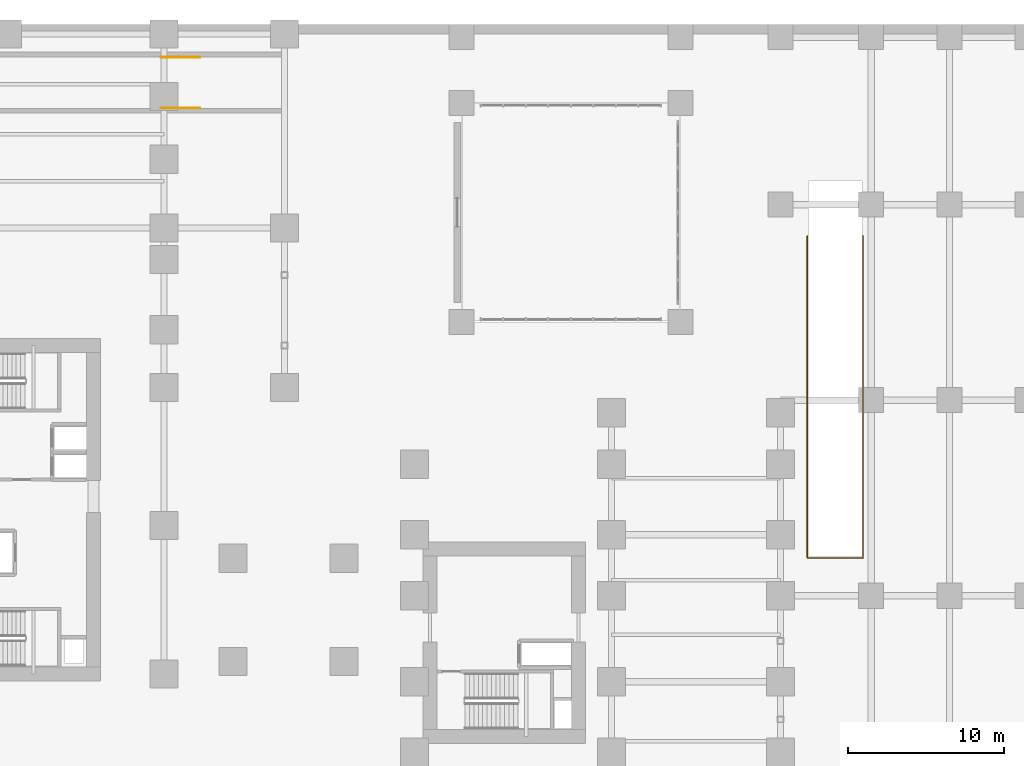
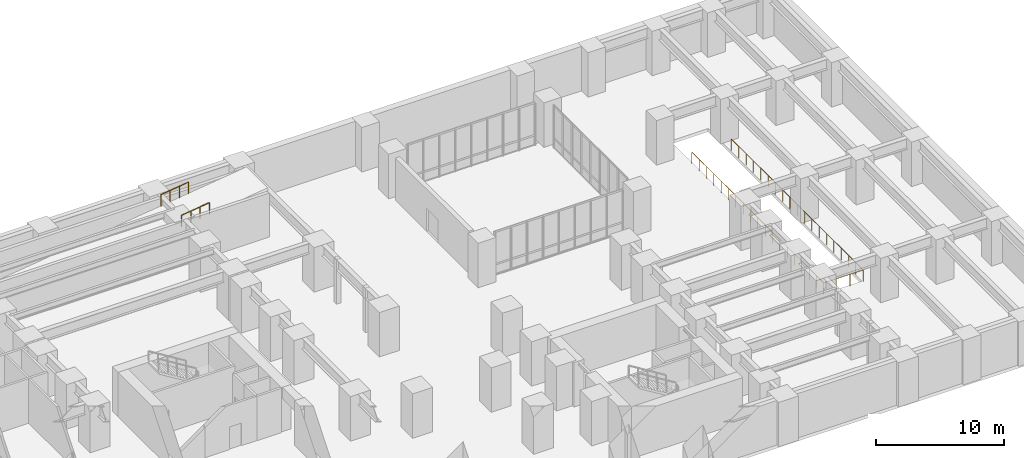
# One storey, part 18 of 18: 3 railings.
"""IFC4 building model written with IfcOpenShell, lengths in metres."""

from ifc_helpers import new_model, si_unit, direction, frame, origin, origin_2d, place, context, subcontext, project, spatial, circle, extrude, source, transform, mapped, material, layer, layer_set, type_object, element, save


model = new_model("IFC4")

# Units and contexts
model_context = context("Model", 3, precision=1e-05, world=origin(), true_north=direction((0.0, 1.0)))
body_context = subcontext(model_context, "Body", "Model", "MODEL_VIEW")
ifc_project = project(units=[si_unit("LENGTHUNIT", "METRE"), si_unit("AREAUNIT", "SQUARE_METRE"), si_unit("VOLUMEUNIT", "CUBIC_METRE"), si_unit("PLANEANGLEUNIT", "RADIAN"), si_unit("MASSUNIT", "GRAM", prefix="KILO")], contexts=[model_context])

# Site, building, storey
site_placement = place(None, origin())
site = spatial("IfcSite", under=ifc_project, at=site_placement, CompositionType="ELEMENT")
building_placement = place(site_placement, origin())
building = spatial("IfcBuilding", under=site, at=building_placement, Name="Kharzan Plaza Tower", CompositionType="ELEMENT")
storey_placement = place(building_placement, frame((0.0, 0.0, -4.5)))
storey = spatial("IfcBuildingStorey", under=building, at=storey_placement, Name="B01", CompositionType="ELEMENT", Elevation=-4.5)

# Railings
ifc_material = material(Name="Painted Galvanized Architectural Steel", Category="steel")
ifc_layer = layer(ifc_material, 0.074951171875)
ifc_layer_set = layer_set([ifc_layer], Name="Painted Galvanized Architectural Steel")
railing_type = type_object("IfcRailingType", Name="RL-GUARD-1120", PredefinedType="BALUSTRADE", material=ifc_layer_set)
shared_shape_1 = source(origin(), body_context, "Body", "SweptSolid", [
    extrude(circle(Radius=0.02392578125, at=origin_2d()), frame((0.0, -0.0263671875, 1.09619140625), z_axis=(0.0, -1.0, 0.0), x_axis=(1.0, 0.0, 0.0)), (0.0, 0.0, 1.0), 20.527099609375),
    extrude(circle(Radius=0.02392578125, at=origin_2d()), frame((0.0263671875, -20.580078125, 1.09619140625), z_axis=(1.0, 0.0, 0.0), x_axis=(0.0, 1.0, 0.0)), (0.0, 0.0, 1.0), 3.5068359375),
    extrude(circle(Radius=0.02392578125, at=origin_2d()), frame((3.559814453125, -20.5537109375, 1.09619140625), z_axis=(0.0, 1.0, 0.0), x_axis=(-1.0, 0.0, 0.0)), (0.0, 0.0, 1.0), 20.527099609375),
    extrude(circle(Radius=0.02099609375, at=origin_2d()), origin(), (0.0, 0.0, 1.0), 1.072021484375),
    extrude(circle(Radius=0.02099609375, at=origin_2d()), frame((0.0, -1.143310546875, 0.0)), (0.0, 0.0, 1.0), 1.072021484375),
    extrude(circle(Radius=0.02099609375, at=origin_2d()), frame((0.0, -2.28662109375, 0.0)), (0.0, 0.0, 1.0), 1.072021484375),
    extrude(circle(Radius=0.02099609375, at=origin_2d()), frame((0.0, -3.429931640625, 0.0)), (0.0, 0.0, 1.0), 1.072021484375),
    extrude(circle(Radius=0.02099609375, at=origin_2d()), frame((0.0, -4.5732421875, 0.0)), (0.0, 0.0, 1.0), 1.072021484375),
    extrude(circle(Radius=0.02099609375, at=origin_2d()), frame((0.0, -5.716796875, 0.0)), (0.0, 0.0, 1.0), 1.072021484375),
    extrude(circle(Radius=0.02099609375, at=origin_2d()), frame((0.0, -6.860107421875, 0.0)), (0.0, 0.0, 1.0), 1.072021484375),
    extrude(circle(Radius=0.02099609375, at=origin_2d()), frame((0.0, -8.00341796875, 0.0)), (0.0, 0.0, 1.0), 1.072021484375),
    extrude(circle(Radius=0.02099609375, at=origin_2d()), frame((0.0, -9.146728515625, 0.0)), (0.0, 0.0, 1.0), 1.072021484375),
    extrude(circle(Radius=0.02099609375, at=origin_2d()), frame((0.0, -10.2900390625, 0.0)), (0.0, 0.0, 1.0), 1.072021484375),
    extrude(circle(Radius=0.02099609375, at=origin_2d()), frame((0.0, -11.433349609375, 0.0)), (0.0, 0.0, 1.0), 1.072021484375),
    extrude(circle(Radius=0.02099609375, at=origin_2d()), frame((0.0, -12.57666015625, 0.0)), (0.0, 0.0, 1.0), 1.072021484375),
    extrude(circle(Radius=0.02099609375, at=origin_2d()), frame((0.0, -13.719970703125, 0.0)), (0.0, 0.0, 1.0), 1.072021484375),
    extrude(circle(Radius=0.02099609375, at=origin_2d()), frame((0.0, -14.86328125, 0.0)), (0.0, 0.0, 1.0), 1.072021484375),
    extrude(circle(Radius=0.02099609375, at=origin_2d()), frame((0.0, -16.0068359375, 0.0)), (0.0, 0.0, 1.0), 1.072021484375),
    extrude(circle(Radius=0.02099609375, at=origin_2d()), frame((0.0, -17.150146484375, 0.0)), (0.0, 0.0, 1.0), 1.072021484375),
    extrude(circle(Radius=0.02099609375, at=origin_2d()), frame((0.0, -18.29345703125, 0.0)), (0.0, 0.0, 1.0), 1.072021484375),
    extrude(circle(Radius=0.02099609375, at=origin_2d()), frame((0.0, -19.436767578125, 0.0)), (0.0, 0.0, 1.0), 1.072021484375),
    extrude(circle(Radius=0.02099609375, at=origin_2d()), frame((0.0, -20.580078125, 0.0)), (0.0, 0.0, 1.0), 1.072021484375),
    extrude(circle(Radius=0.02099609375, at=origin_2d()), frame((1.1865234375, -20.580078125, 0.0)), (0.0, 0.0, 1.0), 1.072021484375),
    extrude(circle(Radius=0.02099609375, at=origin_2d()), frame((2.373291015625, -20.580078125, 0.0)), (0.0, 0.0, 1.0), 1.072021484375),
    extrude(circle(Radius=0.02099609375, at=origin_2d()), frame((3.559814453125, -20.580078125, 0.0)), (0.0, 0.0, 1.0), 1.072021484375),
    extrude(circle(Radius=0.02099609375, at=origin_2d()), frame((3.559814453125, -19.436767578125, 0.0)), (0.0, 0.0, 1.0), 1.072021484375),
    extrude(circle(Radius=0.02099609375, at=origin_2d()), frame((3.559814453125, -18.29345703125, 0.0)), (0.0, 0.0, 1.0), 1.072021484375),
    extrude(circle(Radius=0.02099609375, at=origin_2d()), frame((3.559814453125, -17.150146484375, 0.0)), (0.0, 0.0, 1.0), 1.072021484375),
    extrude(circle(Radius=0.02099609375, at=origin_2d()), frame((3.559814453125, -16.0068359375, 0.0)), (0.0, 0.0, 1.0), 1.072021484375),
    extrude(circle(Radius=0.02099609375, at=origin_2d()), frame((3.559814453125, -14.86328125, 0.0)), (0.0, 0.0, 1.0), 1.072021484375),
    extrude(circle(Radius=0.02099609375, at=origin_2d()), frame((3.559814453125, -13.719970703125, 0.0)), (0.0, 0.0, 1.0), 1.072021484375),
    extrude(circle(Radius=0.02099609375, at=origin_2d()), frame((3.559814453125, -12.57666015625, 0.0)), (0.0, 0.0, 1.0), 1.072021484375),
    extrude(circle(Radius=0.02099609375, at=origin_2d()), frame((3.559814453125, -11.433349609375, 0.0)), (0.0, 0.0, 1.0), 1.072021484375),
    extrude(circle(Radius=0.02099609375, at=origin_2d()), frame((3.559814453125, -10.2900390625, 0.0)), (0.0, 0.0, 1.0), 1.072021484375),
    extrude(circle(Radius=0.02099609375, at=origin_2d()), frame((3.559814453125, -9.146728515625, 0.0)), (0.0, 0.0, 1.0), 1.072021484375),
    extrude(circle(Radius=0.02099609375, at=origin_2d()), frame((3.559814453125, -8.00341796875, 0.0)), (0.0, 0.0, 1.0), 1.072021484375),
    extrude(circle(Radius=0.02099609375, at=origin_2d()), frame((3.559814453125, -6.860107421875, 0.0)), (0.0, 0.0, 1.0), 1.072021484375),
    extrude(circle(Radius=0.02099609375, at=origin_2d()), frame((3.559814453125, -5.716796875, 0.0)), (0.0, 0.0, 1.0), 1.072021484375),
    extrude(circle(Radius=0.02099609375, at=origin_2d()), frame((3.559814453125, -4.5732421875, 0.0)), (0.0, 0.0, 1.0), 1.072021484375),
    extrude(circle(Radius=0.02099609375, at=origin_2d()), frame((3.559814453125, -3.429931640625, 0.0)), (0.0, 0.0, 1.0), 1.072021484375),
    extrude(circle(Radius=0.02099609375, at=origin_2d()), frame((3.559814453125, -2.28662109375, 0.0)), (0.0, 0.0, 1.0), 1.072021484375),
    extrude(circle(Radius=0.02099609375, at=origin_2d()), frame((3.559814453125, -1.143310546875, 0.0)), (0.0, 0.0, 1.0), 1.072021484375),
    extrude(circle(Radius=0.02099609375, at=origin_2d()), frame((3.559814453125, 0.0, 0.0)), (0.0, 0.0, 1.0), 1.072021484375),
])
railing_placement = place(storey_placement, frame((60.1201171875, 36.5, 0.0)))
element("IfcRailing", 1, at=railing_placement, inside=storey, type_object=railing_type, Name="B01 East Ramp Slab Opening Safety Guard Balustrade", PredefinedType="BALUSTRADE", context=body_context, shape_type="MappedRepresentation", body=[
    mapped(shared_shape_1, transform((0.0, 0.0, 0.0), x_axis=(1.0, 0.0, 0.0), y_axis=(0.0, 1.0, 0.0), z_axis=(0.0, 0.0, 1.0))),
])
shared_shape_2 = source(origin(), body_context, "Body", "SweptSolid", [
    extrude(circle(Radius=0.02392578125, at=origin_2d()), frame((0.026123046875, 0.0, 1.099609375), z_axis=(0.991496427865, 0.0, 0.130133906157), x_axis=(0.0, 1.0, 0.0)), (0.0, 0.0, 1.0), 2.468505859375),
    extrude(circle(Radius=0.02099609375, at=origin_2d()), origin(), (0.0, 0.0, 1.0), 1.072021484375),
    extrude(circle(Radius=0.02099609375, at=origin_2d()), frame((0.833251953125, 0.0, 0.109375)), (0.0, 0.0, 1.0), 1.072021484375),
    extrude(circle(Radius=0.02099609375, at=origin_2d()), frame((1.666748046875, 0.0, 0.21875)), (0.0, 0.0, 1.0), 1.072021484375),
    extrude(circle(Radius=0.02099609375, at=origin_2d()), frame((2.5, 0.0, 0.328125)), (0.0, 0.0, 1.0), 1.072021484375),
])
for number, where, name in (
    (2, (18.800048828125, 47.919921875, 3.483154296875), "B01 Upper Ramp Kerb Safety Guard N"),
    (3, (18.800048828125, 44.679931640625, 3.483154296875), "B01 Upper Ramp Kerb Safety Guard S"),
):
    element("IfcRailing", number, at=place(storey_placement, frame(where)), inside=storey, type_object=railing_type, Name=name, PredefinedType="BALUSTRADE", context=body_context, shape_type="MappedRepresentation", body=[
        mapped(shared_shape_2, transform((0.0, 0.0, 0.0), x_axis=(1.0, 0.0, 0.0), y_axis=(0.0, 1.0, 0.0), z_axis=(0.0, 0.0, 1.0))),
    ])

save(model, "model.ifc")
